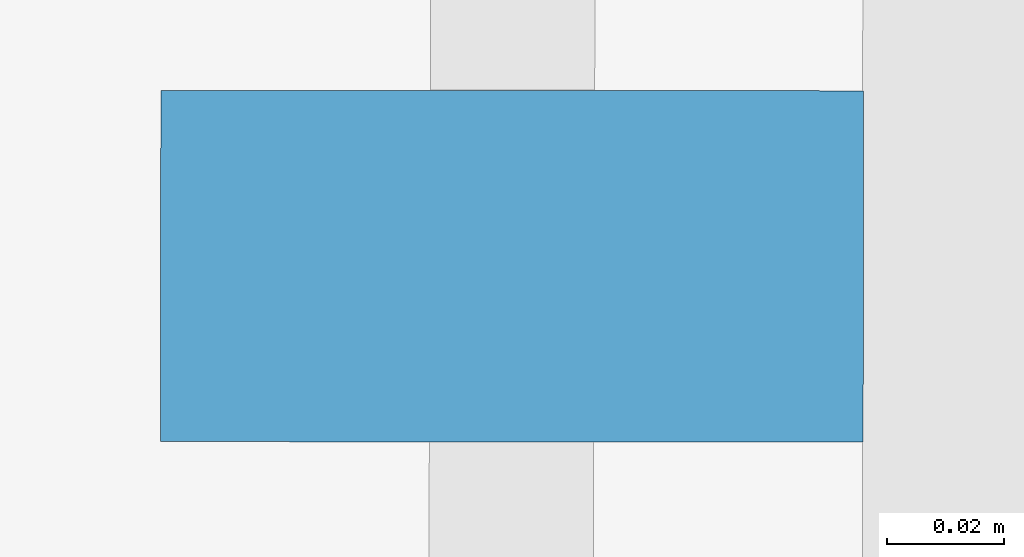
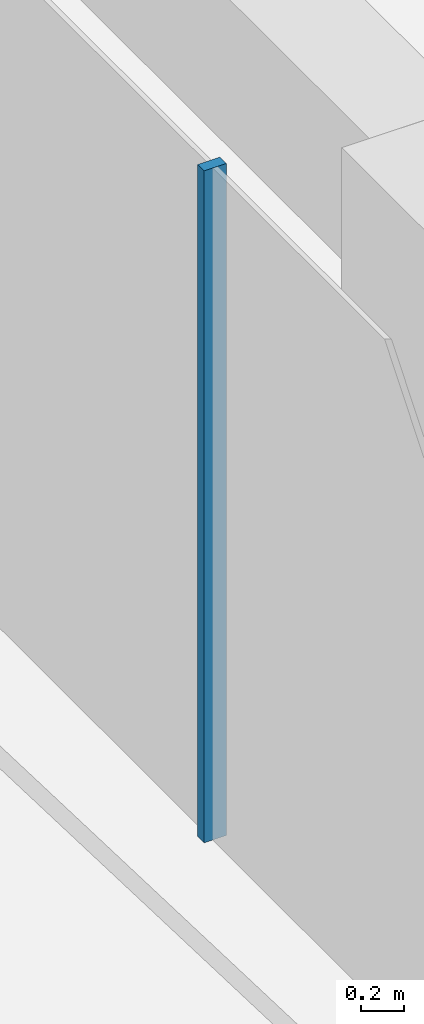
# One storey, part 9 of 20: 1 member, 1 element without a shape of its own.
"""IFC4 building model written with IfcOpenShell, lengths in metres."""

from ifc_helpers import new_model, si_unit, direction, frame, origin, origin_2d, place, context, subcontext, project, spatial, rectangle, extrude, material, layer, layer_set, material_profile, profile_set, type_object, element, aggregate, save


model = new_model("IFC4")

# Units and contexts
model_context = context("Model", 3, precision=1e-05, world=origin(), true_north=direction((0.0, 1.0)))
body_context = subcontext(model_context, "Body", "Model", "MODEL_VIEW")
ifc_project = project(units=[si_unit("LENGTHUNIT", "METRE"), si_unit("AREAUNIT", "SQUARE_METRE"), si_unit("VOLUMEUNIT", "CUBIC_METRE"), si_unit("PLANEANGLEUNIT", "RADIAN"), si_unit("MASSUNIT", "GRAM", prefix="KILO")], contexts=[model_context])

# Site, building, storey
site_placement = place(None, origin())
site = spatial("IfcSite", under=ifc_project, at=site_placement, CompositionType="ELEMENT")
building_placement = place(site_placement, origin())
building = spatial("IfcBuilding", under=site, at=building_placement, Name="Welwitschia Terrace Campus", CompositionType="ELEMENT")
storey_placement = place(building_placement, frame((0.0, 0.0, 176.0)))
storey = spatial("IfcBuildingStorey", under=building, at=storey_placement, Name="L39", CompositionType="ELEMENT", Elevation=176.0)

# Curtain wall, member
ifc_material_1 = material(Name="Bronze anodised aluminium", Category="aluminium")
ifc_layer = layer(ifc_material_1, 0.1201171875)
ifc_layer_set = layer_set([ifc_layer], Name="Bronze anodised aluminium")
curtain_wall_type = type_object("IfcCurtainWallType", Name="Curtain wall CW2 tower 6000", PredefinedType="NOTDEFINED", material=ifc_layer_set)
curtain_wall_placement = place(storey_placement, origin())
curtain_wall = element("IfcCurtainWall", 1, at=curtain_wall_placement, inside=storey, type_object=curtain_wall_type, Name="CW L39.12.0", PredefinedType="NOTDEFINED")
ifc_material_2 = material(Name="Bronze anodised aluminium", Category="aluminium")
ifc_material_profile = material_profile(ifc_material_2, rectangle(XDim=0.1201171875, YDim=0.06005859375, at=origin_2d()))
ifc_profile_set = profile_set([ifc_material_profile], Name="Bronze anodised aluminium")
member_type = type_object("IfcMemberType", Name="Mullion 60x120", PredefinedType="MULLION", material=ifc_profile_set)
member_placement = place(storey_placement, frame((-1.018798828125, 44.613525390625, 0.0), z_axis=(0.0, 0.0, 1.0), x_axis=(0.999999815296, -0.000607788744, 0.0)))
member = element("IfcMember", 2, at=member_placement, type_object=member_type, Name="Mullion L39.12.0.3", PredefinedType="MULLION", context=body_context, shape_type="SweptSolid", body=[
    extrude(rectangle(XDim=0.1201171875, YDim=0.06005859375, at=origin_2d()), origin(), (0.0, 0.0, 1.0), 3.85009765625),
])
aggregate(curtain_wall, [member])

save(model, "model.ifc")
